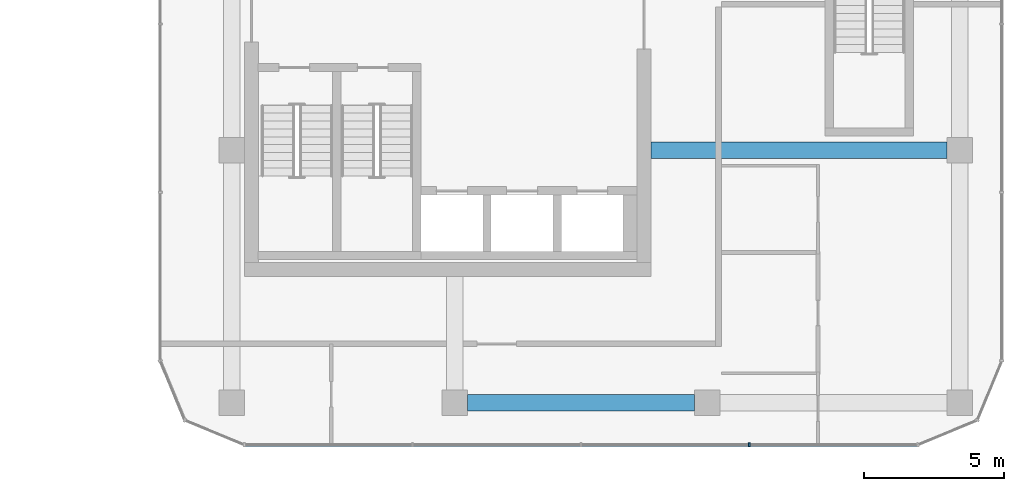
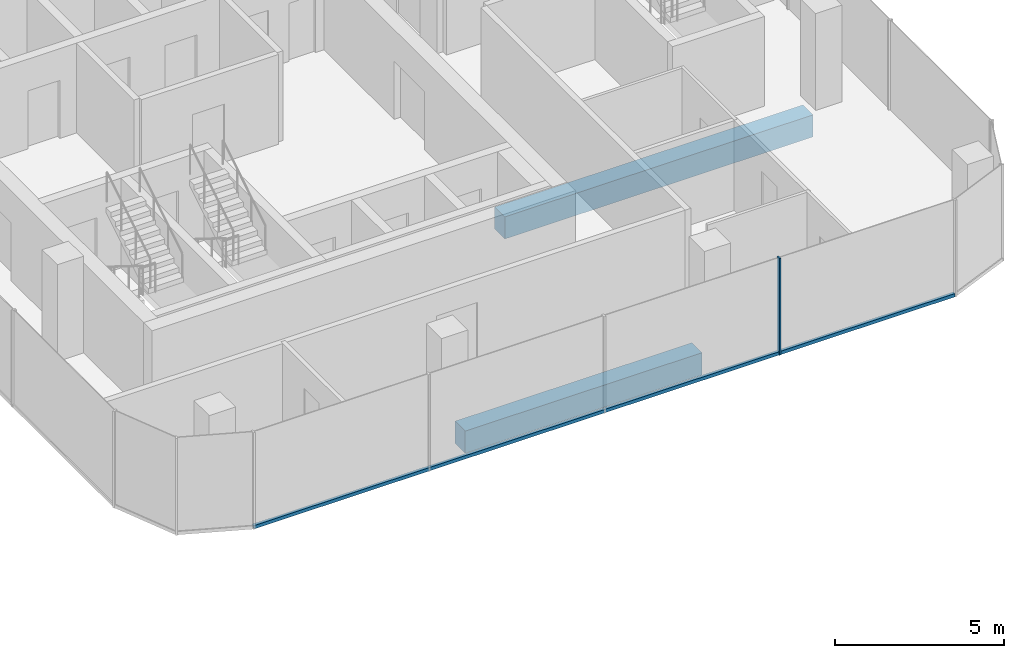
# One storey, part 8 of 22: 2 beams, 2 members, 1 element without a shape of its own.
"""IFC4 building model written with IfcOpenShell, lengths in metres."""

from ifc_helpers import new_model, si_unit, direction, frame, origin, origin_2d, place, context, subcontext, project, spatial, rectangle, extrude, material, layer, layer_set, material_profile, profile_set, type_object, element, aggregate, save


model = new_model("IFC4")

# Units and contexts
model_context = context("Model", 3, precision=1e-05, world=origin(), true_north=direction((0.0, 1.0)))
body_context = subcontext(model_context, "Body", "Model", "MODEL_VIEW")
ifc_project = project(units=[si_unit("LENGTHUNIT", "METRE"), si_unit("AREAUNIT", "SQUARE_METRE"), si_unit("VOLUMEUNIT", "CUBIC_METRE"), si_unit("PLANEANGLEUNIT", "RADIAN"), si_unit("MASSUNIT", "GRAM", prefix="KILO")], contexts=[model_context])

# Site, building, storey
site_placement = place(None, origin())
site = spatial("IfcSite", under=ifc_project, at=site_placement, CompositionType="ELEMENT")
building_placement = place(site_placement, origin())
building = spatial("IfcBuilding", under=site, at=building_placement, Name="Plateau Cross Towers", CompositionType="ELEMENT")
storey_placement = place(building_placement, frame((0.0, 0.0, 58.300048828125)))
storey = spatial("IfcBuildingStorey", under=building, at=storey_placement, Name="L14", CompositionType="ELEMENT", Elevation=58.300048828125)

# Beam
ifc_material_1 = material(Name="Concrete C60/75", Category="concrete")
ifc_material_profile_1 = material_profile(ifc_material_1, rectangle(XDim=0.60009765625, YDim=0.800048828125, at=origin_2d()), Name="RC 600x800")
ifc_profile_set_1 = profile_set([ifc_material_profile_1], Name="Concrete C60/75")
beam_type_1 = type_object("IfcBeamType", Name="Core beam RC 600x800", PredefinedType="BEAM", material=ifc_profile_set_1)
beam_1_placement = place(storey_placement, frame((89.5, 4.5, -0.650146484375), z_axis=(1.0, 0.0, 0.0), x_axis=(0.0, 1.0, 0.0)))
element("IfcBeam", 1, at=beam_1_placement, inside=storey, type_object=beam_type_1, Name="B-CB02@L14", PredefinedType="BEAM", context=body_context, shape_type="SweptSolid", body=[
    extrude(rectangle(XDim=0.60009765625, YDim=0.800048828125, at=origin_2d()), origin(), (0.0, 0.0, 1.0), 10.550048828125),
])

# Curtain wall, member
ifc_material_2 = material(Name="Dark low-iron glass", Category="glass")
ifc_layer = layer(ifc_material_2, 0.239990234375)
ifc_layer_set = layer_set([ifc_layer], Name="Dark low-iron glass")
curtain_wall_type = type_object("IfcCurtainWallType", Name="Curtain wall office unitised CW-F", PredefinedType="NOTDEFINED", material=ifc_layer_set)
curtain_wall_placement = place(storey_placement, origin())
curtain_wall = element("IfcCurtainWall", 2, at=curtain_wall_placement, inside=storey, type_object=curtain_wall_type, Name="ENV/B/L14/B750_-60", PredefinedType="NOTDEFINED")
ifc_material_3 = material(Name="Black anodised aluminium", Category="aluminium")
ifc_material_profile_2 = material_profile(ifc_material_3, rectangle(XDim=0.06005859375, YDim=0.139892578125, at=origin_2d()), Name="MULLION 60x140")
ifc_profile_set_2 = profile_set([ifc_material_profile_2], Name="Black anodised aluminium")
member_type_1 = type_object("IfcMemberType", Name="Mullion 60x140 office unitised", PredefinedType="MULLION", material=ifc_profile_set_2)
member_1_placement = place(storey_placement, frame((93.0, -6.0, -0.25), z_axis=(0.0, 0.0, 1.0), x_axis=(1.0, 0.0, 0.0)))
member_1 = element("IfcMember", 3, at=member_1_placement, type_object=member_type_1, Name="CW-F mullion 4", PredefinedType="MULLION", context=body_context, shape_type="SweptSolid", body=[
    extrude(rectangle(XDim=0.06005859375, YDim=0.139892578125, at=origin_2d()), origin(), (0.0, 0.0, 1.0), 3.5),
])

# Beam
ifc_material_profile_3 = material_profile(ifc_material_1, rectangle(XDim=0.60009765625, YDim=0.800048828125, at=origin_2d()), Name="RC 600x800")
ifc_profile_set_3 = profile_set([ifc_material_profile_3], Name="Concrete C60/75")
beam_type_2 = type_object("IfcBeamType", Name="Ring beam RC 600x800", PredefinedType="BEAM", material=ifc_profile_set_3)
beam_2_placement = place(storey_placement, frame((82.949951171875, -4.5, -0.650146484375), z_axis=(1.0, 0.0, 0.0), x_axis=(0.0, 1.0, 0.0)))
element("IfcBeam", 4, at=beam_2_placement, inside=storey, type_object=beam_type_2, Name="B-RB01@L14", PredefinedType="BEAM", context=body_context, shape_type="SweptSolid", body=[
    extrude(rectangle(XDim=0.60009765625, YDim=0.800048828125, at=origin_2d()), origin(), (0.0, 0.0, 1.0), 8.10009765625),
])

# Member
ifc_material_profile_4 = material_profile(ifc_material_3, rectangle(XDim=0.10009765625, YDim=0.1201171875, at=origin_2d()), Name="TRANSOM 100x120")
ifc_profile_set_4 = profile_set([ifc_material_profile_4], Name="Black anodised aluminium")
member_type_2 = type_object("IfcMemberType", Name="Transom 100x120 office unitised", PredefinedType="USERDEFINED", material=ifc_profile_set_4)
member_2_placement = place(storey_placement, frame((75.0, -6.0, -0.18994140625), z_axis=(1.0, 0.0, 0.0), x_axis=(0.0, 1.0, 0.0)))
member_2 = element("IfcMember", 5, at=member_2_placement, type_object=member_type_2, Name="CW-F transom", ObjectType="TRANSOM", PredefinedType="USERDEFINED", context=body_context, shape_type="SweptSolid", body=[
    extrude(rectangle(XDim=0.10009765625, YDim=0.1201171875, at=origin_2d()), origin(), (0.0, 0.0, 1.0), 24.0),
])

aggregate(curtain_wall, [member_1, member_2])

save(model, "model.ifc")
